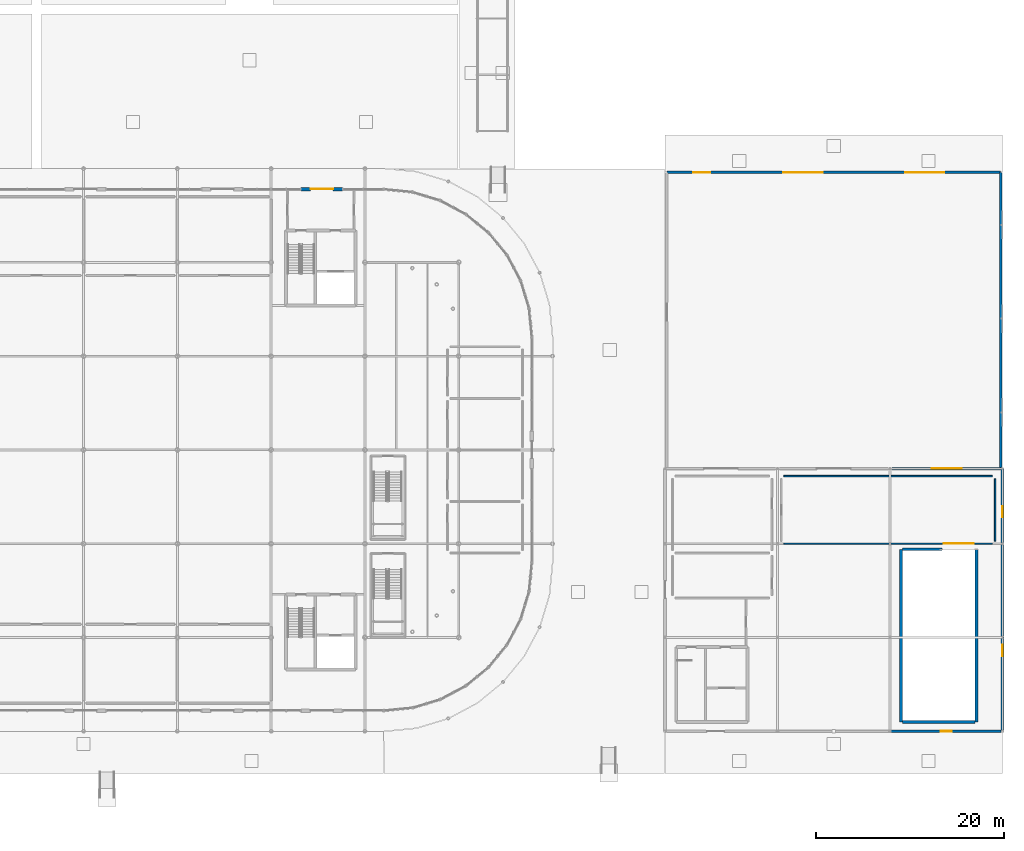
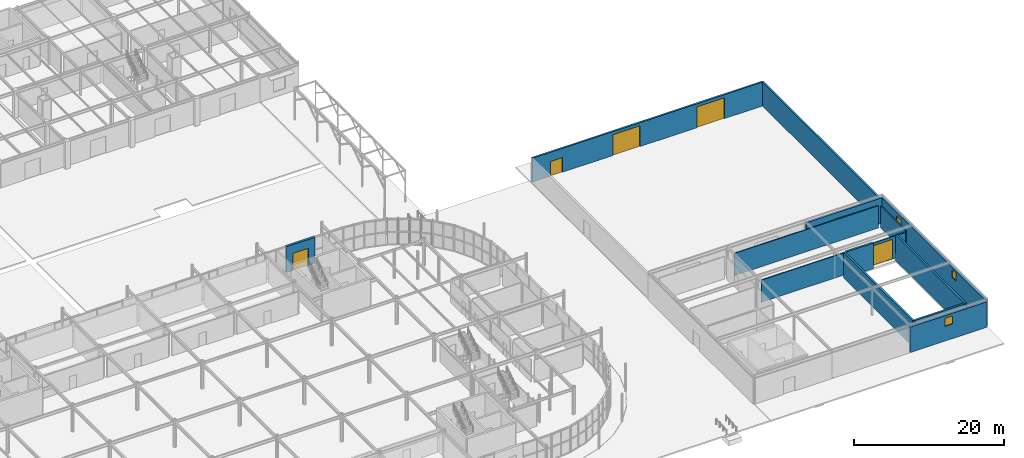
# One storey, part 95 of 119: 13 walls, 6 doors, 3 windows, 9 openings.
"""IFC4 building model written with IfcOpenShell, lengths in metres."""

from ifc_helpers import new_model, si_unit, derived_unit, direction, frame, frame_2d, origin, place, context, subcontext, project, spatial, rectangle, extrude, material, layer, layer_set, type_object, element, fill, save


model = new_model("IFC4")

# Units and contexts
model_context = context("Model", 3, precision=1e-05, world=origin(), true_north=direction((0.0, 1.0)))
body_context = subcontext(model_context, "Body", "Model", "MODEL_VIEW")
ifc_project = project(units=[si_unit("LENGTHUNIT", "METRE"), si_unit("AREAUNIT", "SQUARE_METRE"), si_unit("VOLUMEUNIT", "CUBIC_METRE"), si_unit("PLANEANGLEUNIT", "RADIAN"), si_unit("MASSUNIT", "GRAM", prefix="KILO"), derived_unit("THERMALTRANSMITTANCEUNIT", [(si_unit("POWERUNIT", "WATT"), 1), (si_unit("LENGTHUNIT", "METRE"), -2), (si_unit("THERMODYNAMICTEMPERATUREUNIT", "KELVIN"), -1)])], contexts=[model_context])

# Site, building, storey
site_placement = place(None, origin())
site = spatial("IfcSite", under=ifc_project, at=site_placement, CompositionType="ELEMENT")
building_placement = place(site_placement, origin())
building = spatial("IfcBuilding", under=site, at=building_placement, Name="Cinnabar Yard Market Hall", CompositionType="ELEMENT")
storey_placement = place(building_placement, origin())
storey = spatial("IfcBuildingStorey", under=building, at=storey_placement, Name="L00", CompositionType="ELEMENT", Elevation=0.0)

# Wall, opening, door
ifc_material_1 = material(Name="Fire-rated steel-stud plasterboard", Category="steel")
ifc_layer_1 = layer(ifc_material_1, 0.14990234375)
ifc_layer_set_1 = layer_set([ifc_layer_1], Name="Fire-rated steel-stud plasterboard")
wall_type_1 = type_object("IfcWallType", Name="WL-PT150", PredefinedType="PARTITIONING", material=ifc_layer_set_1)
wall_1_placement = place(storey_placement, frame((190.679931640625, 34.0, 0.0), z_axis=(0.0, 0.0, 1.0), x_axis=(1.0, 0.0, 0.0)))
wall_1 = element("IfcWall", 1, at=wall_1_placement, inside=storey, type_object=wall_type_1, Name="Partition Enclosed Truck Loading Bays and Dock south", PredefinedType="PARTITIONING", context=body_context, shape_type="SweptSolid", body=[
    extrude(rectangle(XDim=22.239990234375, YDim=0.14990234375, at=frame_2d((11.1201171875, 0.0), x_axis=(1.0, 0.0))), origin(), (0.0, 0.0, 1.0), 3.6201171875),
])
opening_1_placement = place(wall_1_placement, frame((17.054931640625, 0.0, 0.0)))
opening_1 = element("IfcOpeningElement", 2, at=opening_1_placement, cuts=wall_1, Name="Opening VG-RMP", PredefinedType="OPENING", context=body_context, shape_type="SweptSolid", body=[
    extrude(rectangle(XDim=3.199951171875, YDim=3.199951171875, at=frame_2d((1.60009765625, 1.60009765625), x_axis=(1.0, 0.0))), frame((0.0, 0.0849609375, 0.0), z_axis=(0.0, -1.0, 0.0), x_axis=(1.0, 0.0, 0.0)), (0.0, 0.0, 1.0), 0.169921875),
])
ifc_material_2 = material(Name="Galvanised steel Grade 300 (300 MPa) roller shutter", Category="steel")
door_type_1 = type_object("IfcDoorType", Name="DR-RS02", OperationType="NOTDEFINED", PredefinedType="DOOR", material=ifc_material_2)
door_1_placement = place(opening_1_placement, origin())
door_1 = element("IfcDoor", 3, at=door_1_placement, inside=storey, type_object=door_type_1, Name="Ramp Exit Shutter VG-RMP", OperationType="ROLLINGUP", OverallHeight=3.199951171875, OverallWidth=3.199951171875, PredefinedType="DOOR", context=body_context, shape_type="SweptSolid", body=[
    extrude(rectangle(XDim=3.199951171875, YDim=3.199951171875, at=frame_2d((1.60009765625, 1.60009765625), x_axis=(1.0, 0.0))), frame((0.0, 0.02490234375, 0.0), z_axis=(0.0, -1.0, 0.0), x_axis=(1.0, 0.0, 0.0)), (0.0, 0.0, 1.0), 0.050048828125),
])
fill(opening_1, door_1)

# Walls
wall_2_placement = place(storey_placement, frame((213.199951171875, 34.280029296875, 0.0), z_axis=(0.0, 0.0, 1.0), x_axis=(0.0, 1.0, 0.0)))
element("IfcWall", 4, at=wall_2_placement, inside=storey, type_object=wall_type_1, Name="Partition Enclosed Truck Loading Bays and Dock east", PredefinedType="PARTITIONING", context=body_context, shape_type="SweptSolid", body=[
    extrude(rectangle(XDim=6.639892578125, YDim=0.14990234375, at=frame_2d((3.31982421875, 0.0), x_axis=(1.0, 0.0))), origin(), (0.0, 0.0, 1.0), 3.6201171875),
])
wall_3_placement = place(storey_placement, frame((212.919921875, 41.199951171875, 0.0), z_axis=(0.0, 0.0, 1.0), x_axis=(-1.0, 0.0, 0.0)))
element("IfcWall", 5, at=wall_3_placement, inside=storey, type_object=wall_type_1, Name="Partition Enclosed Truck Loading Bays and Dock north", PredefinedType="PARTITIONING", context=body_context, shape_type="SweptSolid", body=[
    extrude(rectangle(XDim=22.239990234375, YDim=0.14990234375, at=frame_2d((11.1201171875, 0.0), x_axis=(1.0, 0.0))), origin(), (0.0, 0.0, 1.0), 3.6201171875),
])
ifc_material_3 = material(Name="Concrete 40 MPa", Category="concrete")
ifc_layer_2 = layer(ifc_material_3, 0.300048828125)
ifc_layer_set_2 = layer_set([ifc_layer_2], Name="Concrete 40 MPa")
wall_type_2 = type_object("IfcWallType", Name="WL-W-CORE", PredefinedType="SHEAR", material=ifc_layer_set_2)
for number, where, z_axis, x_axis, name in (
    (6, (203.179931640625, 15.0, 0.0), (0.0, 0.0, 1.0), (0.0, 1.0, 0.0), "Ramp Well West Enclosure Wall"),
    (7, (211.219970703125, 33.39990234375, 0.0), (0.0, 0.0, 1.0), (0.0, -1.0, 0.0), "Ramp Well East Enclosure Wall"),
):
    element("IfcWall", number, at=place(storey_placement, frame(where, z_axis=z_axis, x_axis=x_axis)), inside=storey, type_object=wall_type_2, Name=name, PredefinedType="SHEAR", context=body_context, shape_type="SweptSolid", body=[
        extrude(rectangle(XDim=18.39990234375, YDim=0.300048828125, at=frame_2d((9.199951171875, 0.0), x_axis=(1.0, 0.0))), origin(), (0.0, 0.0, 1.0), 4.179931640625),
    ])
wall_4_placement = place(storey_placement, frame((203.340087890625, 15.0, 0.0), z_axis=(0.0, 0.0, 1.0), x_axis=(1.0, 0.0, 0.0)))
element("IfcWall", 8, at=wall_4_placement, inside=storey, type_object=wall_type_2, Name="Ramp Well South Enclosure Wall", PredefinedType="SHEAR", context=body_context, shape_type="SweptSolid", body=[
    extrude(rectangle(XDim=7.719970703125, YDim=0.300048828125, at=frame_2d((3.85986328125, 0.0), x_axis=(1.0, 0.0))), origin(), (0.0, 0.0, 1.0), 4.179931640625),
])
wall_5_placement = place(storey_placement, frame((203.340087890625, 33.39990234375, 0.0), z_axis=(0.0, 0.0, 1.0), x_axis=(1.0, 0.0, 0.0)))
element("IfcWall", 9, at=wall_5_placement, inside=storey, type_object=wall_type_2, Name="Ramp Well Lower Lane Headwall", PredefinedType="SHEAR", context=body_context, shape_type="SweptSolid", body=[
    extrude(rectangle(XDim=4.2099609375, YDim=0.300048828125, at=frame_2d((2.10498046875, 0.0), x_axis=(1.0, 0.0))), origin(), (0.0, 0.0, 1.0), 4.179931640625),
])

# Wall, opening, door
ifc_material_4 = material(Name="Red sandstone ashlar over Concrete 32 MPa", Category="masonry")
ifc_layer_3 = layer(ifc_material_4, 0.35009765625)
ifc_layer_set_3 = layer_set([ifc_layer_3], Name="Red sandstone ashlar over Concrete 32 MPa")
wall_type_3 = type_object("IfcWallType", Name="WL-W-EXT1", PredefinedType="SOLIDWALL", material=ifc_layer_set_3)
wall_6_placement = place(storey_placement, frame((143.60009765625, 71.800048828125, 0.0), z_axis=(0.0, 0.0, 1.0), x_axis=(-1.0, 0.0, 0.0)))
wall_6 = element("IfcWall", 10, at=wall_6_placement, inside=storey, type_object=wall_type_3, Name="Market Hall North Courtyard Portal PTE", PredefinedType="SOLIDWALL", context=body_context, shape_type="SweptSolid", body=[
    extrude(rectangle(XDim=4.400146484375, YDim=0.35009765625, at=frame_2d((2.2001953125, 0.0), x_axis=(1.0, 0.0))), origin(), (0.0, 0.0, 1.0), 4.239990234375),
])
opening_2_placement = place(wall_6_placement, frame((1.0, 0.0, 0.0)))
opening_2 = element("IfcOpeningElement", 11, at=opening_2_placement, cuts=wall_6, Name="Opening ED-010", PredefinedType="OPENING", context=body_context, shape_type="SweptSolid", body=[
    extrude(rectangle(XDim=2.39990234375, YDim=2.800048828125, at=frame_2d((1.199951171875, 1.39990234375), x_axis=(1.0, 0.0))), frame((0.0, 0.18505859375, 0.0), z_axis=(0.0, -1.0, 0.0), x_axis=(1.0, 0.0, 0.0)), (0.0, 0.0, 1.0), 0.3701171875),
])
ifc_material_5 = material(Name="Anodised bronze aluminium and toughened glass", Category="aluminium")
door_type_2 = type_object("IfcDoorType", Name="DR-D02", OperationType="NOTDEFINED", PredefinedType="DOOR", material=ifc_material_5)
door_2_placement = place(opening_2_placement, origin())
door_2 = element("IfcDoor", 12, at=door_2_placement, inside=storey, type_object=door_type_2, Name="Door ED-010", OperationType="DOUBLE_SWING_RIGHT", OverallHeight=2.800048828125, OverallWidth=2.39990234375, PredefinedType="DOOR", context=body_context, shape_type="SweptSolid", body=[
    extrude(rectangle(XDim=2.39990234375, YDim=2.800048828125, at=frame_2d((1.199951171875, 1.39990234375), x_axis=(1.0, 0.0))), frame((0.0, 0.02490234375, 0.0), z_axis=(0.0, -1.0, 0.0), x_axis=(1.0, 0.0, 0.0)), (0.0, 0.0, 1.0), 0.050048828125),
])
fill(opening_2, door_2)

# Wall, opening, window
ifc_material_6 = material(Name="Insulated precast Concrete 32 MPa", Category="concrete")
ifc_layer_4 = layer(ifc_material_6, 0.300048828125)
ifc_layer_set_4 = layer_set([ifc_layer_4], Name="Insulated precast Concrete 32 MPa")
wall_type_4 = type_object("IfcWallType", Name="WL-W-EXT3", PredefinedType="SOLIDWALL", material=ifc_layer_set_4)
wall_7_placement = place(storey_placement, frame((202.0, 14.0, 0.0), z_axis=(0.0, 0.0, 1.0), x_axis=(1.0, 0.0, 0.0)))
wall_7 = element("IfcWall", 13, at=wall_7_placement, inside=storey, type_object=wall_type_4, Name="Dock South Wall E", PredefinedType="SOLIDWALL", context=body_context, shape_type="SweptSolid", body=[
    extrude(rectangle(XDim=11.85009765625, YDim=0.300048828125, at=frame_2d((5.925048828125, 0.0), x_axis=(1.0, 0.0))), origin(), (0.0, 0.0, 1.0), 4.14990234375),
])
opening_3_placement = place(wall_7_placement, frame((5.39990234375, 0.0, 2.39990234375)))
opening_3 = element("IfcOpeningElement", 14, at=opening_3_placement, cuts=wall_7, Name="Opening W06", PredefinedType="OPENING", context=body_context, shape_type="SweptSolid", body=[
    extrude(rectangle(XDim=1.199951171875, YDim=1.300048828125, at=frame_2d((0.60009765625, 0.64990234375), x_axis=(1.0, 0.0))), frame((0.0, 0.159912109375, 0.0), z_axis=(0.0, -1.0, 0.0), x_axis=(1.0, 0.0, 0.0)), (0.0, 0.0, 1.0), 0.320068359375),
])
ifc_material_7 = material(Name="Acoustic laminated glazing in aluminium", Category="aluminium")
window_type = type_object("IfcWindowType", Name="WN-W06", PartitioningType="SINGLE_PANEL", PredefinedType="WINDOW", material=ifc_material_7)
window_1_placement = place(opening_3_placement, origin())
window_1 = element("IfcWindow", 15, at=window_1_placement, inside=storey, type_object=window_type, Name="Window WN-V4S-3", OverallHeight=1.300048828125, OverallWidth=1.199951171875, PartitioningType="SINGLE_PANEL", PredefinedType="WINDOW", context=body_context, shape_type="SweptSolid", body=[
    extrude(rectangle(XDim=1.199951171875, YDim=1.300048828125, at=frame_2d((0.60009765625, 0.64990234375), x_axis=(1.0, 0.0))), frame((0.0, 0.030029296875, 0.0), z_axis=(0.0, -1.0, 0.0), x_axis=(1.0, 0.0, 0.0)), (0.0, 0.0, 1.0), 0.06005859375),
])
fill(opening_3, window_1)

# Wall, openings, windows
wall_8_placement = place(storey_placement, frame((214.0, 14.0, 0.0), z_axis=(0.0, 0.0, 1.0), x_axis=(0.0, 1.0, 0.0)))
wall_8 = element("IfcWall", 16, at=wall_8_placement, inside=storey, type_object=wall_type_4, Name="Dock East Rail-Buffer Wall", PredefinedType="SOLIDWALL", context=body_context, shape_type="SweptSolid", body=[
    extrude(rectangle(XDim=28.0, YDim=0.300048828125, at=frame_2d((14.0, 0.0), x_axis=(1.0, 0.0))), origin(), (0.0, 0.0, 1.0), 4.179931640625),
])
opening_4_placement = place(wall_8_placement, frame((8.0, 0.0, 2.5)))
opening_4 = element("IfcOpeningElement", 17, at=opening_4_placement, cuts=wall_8, Name="Opening W06", PredefinedType="OPENING", context=body_context, shape_type="SweptSolid", body=[
    extrude(rectangle(XDim=1.199951171875, YDim=1.300048828125, at=frame_2d((0.60009765625, 0.64990234375), x_axis=(1.0, 0.0))), frame((0.0, 0.159912109375, 0.0), z_axis=(0.0, -1.0, 0.0), x_axis=(1.0, 0.0, 0.0)), (0.0, 0.0, 1.0), 0.320068359375),
])
opening_5_placement = place(wall_8_placement, frame((22.800048828125, 0.0, 2.300048828125)))
opening_5 = element("IfcOpeningElement", 18, at=opening_5_placement, cuts=wall_8, Name="Opening W06", PredefinedType="OPENING", context=body_context, shape_type="SweptSolid", body=[
    extrude(rectangle(XDim=1.199951171875, YDim=1.300048828125, at=frame_2d((0.60009765625, 0.64990234375), x_axis=(1.0, 0.0))), frame((0.0, 0.159912109375, 0.0), z_axis=(0.0, -1.0, 0.0), x_axis=(1.0, 0.0, 0.0)), (0.0, 0.0, 1.0), 0.320068359375),
])
window_2_placement = place(opening_4_placement, origin())
window_2 = element("IfcWindow", 19, at=window_2_placement, inside=storey, type_object=window_type, Name="Window WN-V4E-1", OverallHeight=1.300048828125, OverallWidth=1.199951171875, PartitioningType="SINGLE_PANEL", PredefinedType="WINDOW", context=body_context, shape_type="SweptSolid", body=[
    extrude(rectangle(XDim=1.199951171875, YDim=1.300048828125, at=frame_2d((0.60009765625, 0.64990234375), x_axis=(1.0, 0.0))), frame((0.0, 0.030029296875, 0.0), z_axis=(0.0, -1.0, 0.0), x_axis=(1.0, 0.0, 0.0)), (0.0, 0.0, 1.0), 0.06005859375),
])
fill(opening_4, window_2)
window_3_placement = place(opening_5_placement, origin())
window_3 = element("IfcWindow", 20, at=window_3_placement, inside=storey, type_object=window_type, Name="Window WN-V4E-2", OverallHeight=1.300048828125, OverallWidth=1.199951171875, PartitioningType="SINGLE_PANEL", PredefinedType="WINDOW", context=body_context, shape_type="SweptSolid", body=[
    extrude(rectangle(XDim=1.199951171875, YDim=1.300048828125, at=frame_2d((0.60009765625, 0.64990234375), x_axis=(1.0, 0.0))), frame((0.0, 0.030029296875, 0.0), z_axis=(0.0, -1.0, 0.0), x_axis=(1.0, 0.0, 0.0)), (0.0, 0.0, 1.0), 0.06005859375),
])
fill(opening_5, window_3)

# Wall, opening, door
wall_9_placement = place(storey_placement, frame((213.85009765625, 42.0, 0.0), z_axis=(0.0, 0.0, 1.0), x_axis=(-1.0, 0.0, 0.0)))
wall_9 = element("IfcWall", 21, at=wall_9_placement, inside=storey, type_object=wall_type_4, Name="Loading Bay Portal Wall 3", PredefinedType="SOLIDWALL", context=body_context, shape_type="SweptSolid", body=[
    extrude(rectangle(XDim=11.650146484375, YDim=0.300048828125, at=frame_2d((5.8251953125, 0.0), x_axis=(1.0, 0.0))), origin(), (0.0, 0.0, 1.0), 4.14990234375),
])
opening_6_placement = place(wall_9_placement, frame((4.22509765625, 0.0, 0.0)))
opening_6 = element("IfcOpeningElement", 22, at=opening_6_placement, cuts=wall_9, Name="Opening ED-047", PredefinedType="OPENING", context=body_context, shape_type="SweptSolid", body=[
    extrude(rectangle(XDim=3.199951171875, YDim=3.199951171875, at=frame_2d((1.60009765625, 1.60009765625), x_axis=(1.0, 0.0))), frame((0.0, 0.159912109375, 0.0), z_axis=(0.0, -1.0, 0.0), x_axis=(1.0, 0.0, 0.0)), (0.0, 0.0, 1.0), 0.320068359375),
])
door_3_placement = place(opening_6_placement, origin())
door_3 = element("IfcDoor", 23, at=door_3_placement, inside=storey, type_object=door_type_1, Name="Door ED-047", OperationType="ROLLINGUP", OverallHeight=3.199951171875, OverallWidth=3.199951171875, PredefinedType="DOOR", context=body_context, shape_type="SweptSolid", body=[
    extrude(rectangle(XDim=3.199951171875, YDim=3.199951171875, at=frame_2d((1.60009765625, 1.60009765625), x_axis=(1.0, 0.0))), frame((0.0, 0.02490234375, 0.0), z_axis=(0.0, -1.0, 0.0), x_axis=(1.0, 0.0, 0.0)), (0.0, 0.0, 1.0), 0.050048828125),
])
fill(opening_6, door_3)

# Wall, openings, doors
ifc_material_8 = material(Name="Acoustic masonry Concrete 32 MPa", Category="masonry")
ifc_layer_5 = layer(ifc_material_8, 0.280029296875)
ifc_layer_set_5 = layer_set([ifc_layer_5], Name="Acoustic masonry Concrete 32 MPa")
wall_type_5 = type_object("IfcWallType", Name="WL-W-YRD1", PredefinedType="SOLIDWALL", material=ifc_layer_set_5)
wall_10_placement = place(storey_placement, frame((213.800048828125, 73.60009765625, 0.0), z_axis=(0.0, 0.0, 1.0), x_axis=(-1.0, 0.0, 0.0)))
wall_10 = element("IfcWall", 24, at=wall_10_placement, inside=storey, type_object=wall_type_5, Name="Service Yard North Gate Wall", PredefinedType="SOLIDWALL", context=body_context, shape_type="SweptSolid", body=[
    extrude(rectangle(XDim=35.60009765625, YDim=0.280029296875, at=frame_2d((17.800048828125, 0.0), x_axis=(1.0, 0.0))), origin(), (0.0, 0.0, 1.0), 3.89990234375),
])
opening_7_placement = place(wall_10_placement, frame((6.0, 0.0, 0.0)))
opening_7 = element("IfcOpeningElement", 25, at=opening_7_placement, cuts=wall_10, Name="Opening ED-048", PredefinedType="OPENING", context=body_context, shape_type="SweptSolid", body=[
    extrude(rectangle(XDim=4.199951171875, YDim=3.39990234375, at=frame_2d((2.10009765625, 1.699951171875), x_axis=(1.0, 0.0))), frame((0.0, 0.14990234375, 0.0), z_axis=(0.0, -1.0, 0.0), x_axis=(1.0, 0.0, 0.0)), (0.0, 0.0, 1.0), 0.300048828125),
])
opening_8_placement = place(wall_10_placement, frame((19.0, 0.0, 0.0)))
opening_8 = element("IfcOpeningElement", 26, at=opening_8_placement, cuts=wall_10, Name="Opening ED-049", PredefinedType="OPENING", context=body_context, shape_type="SweptSolid", body=[
    extrude(rectangle(XDim=4.199951171875, YDim=3.39990234375, at=frame_2d((2.10009765625, 1.699951171875), x_axis=(1.0, 0.0))), frame((0.0, 0.14990234375, 0.0), z_axis=(0.0, -1.0, 0.0), x_axis=(1.0, 0.0, 0.0)), (0.0, 0.0, 1.0), 0.300048828125),
])
opening_9_placement = place(wall_10_placement, frame((31.0, 0.0, 0.0)))
opening_9 = element("IfcOpeningElement", 27, at=opening_9_placement, cuts=wall_10, Name="Opening ED-050", PredefinedType="OPENING", context=body_context, shape_type="SweptSolid", body=[
    extrude(rectangle(XDim=1.800048828125, YDim=2.39990234375, at=frame_2d((0.89990234375, 1.199951171875), x_axis=(1.0, 0.0))), frame((0.0, 0.14990234375, 0.0), z_axis=(0.0, -1.0, 0.0), x_axis=(1.0, 0.0, 0.0)), (0.0, 0.0, 1.0), 0.300048828125),
])
ifc_material_9 = material(Name="Powder-coated steel Grade 300 (300 MPa)", Category="steel")
door_type_3 = type_object("IfcDoorType", Name="DR-D03", OperationType="NOTDEFINED", PredefinedType="DOOR", material=ifc_material_9)
door_4_placement = place(opening_9_placement, origin())
door_4 = element("IfcDoor", 28, at=door_4_placement, inside=storey, type_object=door_type_3, Name="Door ED-050", OperationType="DOUBLE_SWING_LEFT", OverallHeight=2.39990234375, OverallWidth=1.800048828125, PredefinedType="DOOR", context=body_context, shape_type="SweptSolid", body=[
    extrude(rectangle(XDim=1.800048828125, YDim=2.39990234375, at=frame_2d((0.89990234375, 1.199951171875), x_axis=(1.0, 0.0))), frame((0.0, 0.02490234375, 0.0), z_axis=(0.0, -1.0, 0.0), x_axis=(1.0, 0.0, 0.0)), (0.0, 0.0, 1.0), 0.050048828125),
])
fill(opening_9, door_4)
ifc_material_10 = material(Name="Perforated bronze steel Grade 300 (300 MPa) gate", Category="steel")
door_type_4 = type_object("IfcDoorType", Name="DR-GT01", OperationType="NOTDEFINED", PredefinedType="GATE", material=ifc_material_10)
door_5_placement = place(opening_7_placement, origin())
door_5 = element("IfcDoor", 29, at=door_5_placement, inside=storey, type_object=door_type_4, Name="Door ED-048", OperationType="SLIDING_TO_RIGHT", OverallHeight=3.39990234375, OverallWidth=4.199951171875, PredefinedType="GATE", context=body_context, shape_type="SweptSolid", body=[
    extrude(rectangle(XDim=4.199951171875, YDim=3.39990234375, at=frame_2d((2.10009765625, 1.699951171875), x_axis=(1.0, 0.0))), frame((0.0, 0.02490234375, 0.0), z_axis=(0.0, -1.0, 0.0), x_axis=(1.0, 0.0, 0.0)), (0.0, 0.0, 1.0), 0.050048828125),
])
fill(opening_7, door_5)
door_6_placement = place(opening_8_placement, origin())
door_6 = element("IfcDoor", 30, at=door_6_placement, inside=storey, type_object=door_type_4, Name="Door ED-049", OperationType="SLIDING_TO_LEFT", OverallHeight=3.39990234375, OverallWidth=4.199951171875, PredefinedType="GATE", context=body_context, shape_type="SweptSolid", body=[
    extrude(rectangle(XDim=4.199951171875, YDim=3.39990234375, at=frame_2d((2.10009765625, 1.699951171875), x_axis=(1.0, 0.0))), frame((0.0, 0.02490234375, 0.0), z_axis=(0.0, -1.0, 0.0), x_axis=(1.0, 0.0, 0.0)), (0.0, 0.0, 1.0), 0.050048828125),
])
fill(opening_8, door_6)

# Wall
wall_11_placement = place(storey_placement, frame((213.800048828125, 42.14990234375, 0.0), z_axis=(0.0, 0.0, 1.0), x_axis=(0.0, 1.0, 0.0)))
element("IfcWall", 31, at=wall_11_placement, inside=storey, type_object=wall_type_5, Name="Service Yard East Rail Acoustic Wall", PredefinedType="SOLIDWALL", context=body_context, shape_type="SweptSolid", body=[
    extrude(rectangle(XDim=31.4501953125, YDim=0.280029296875, at=frame_2d((15.72509765625, 0.0), x_axis=(1.0, 0.0))), origin(), (0.0, 0.0, 1.0), 3.89990234375),
])

save(model, "model.ifc")
